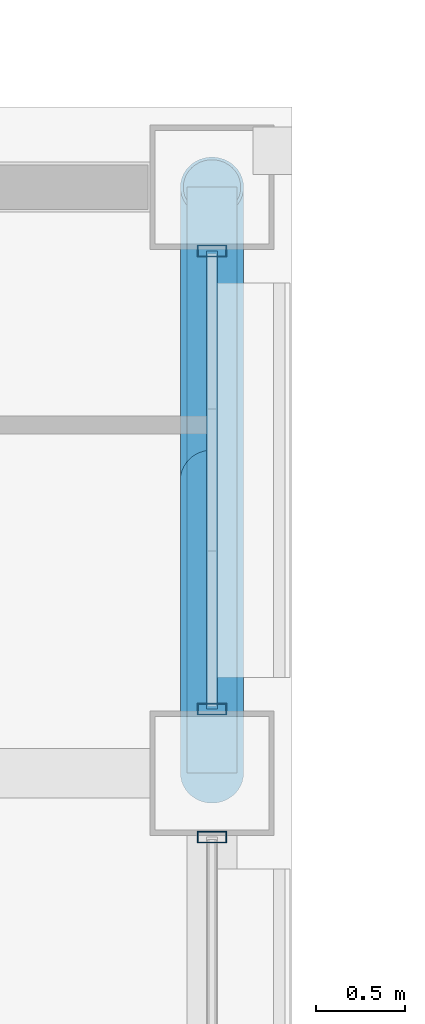
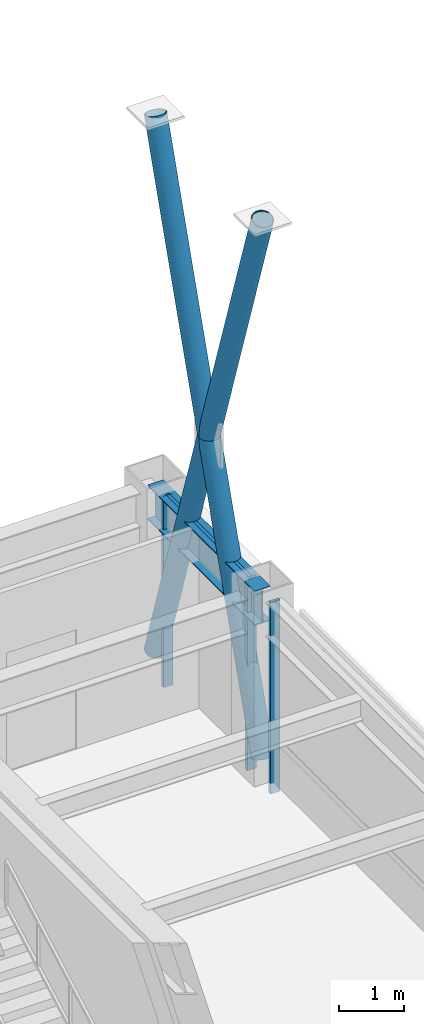
# One storey, part 20 of 33: 7 members, 1 beam, 2 elements without a shape of their own.
"""IFC4 building model written with IfcOpenShell, lengths in metres."""

from ifc_helpers import new_model, si_unit, direction, frame, origin, origin_2d, place, context, subcontext, project, spatial, hollow_rectangle, hollow_circle, i_section, extrude, material, layer, layer_set, material_profile, profile_set, type_object, element, aggregate, save


model = new_model("IFC4")

# Units and contexts
model_context = context("Model", 3, precision=1e-05, world=origin(), true_north=direction((0.0, 1.0)))
body_context = subcontext(model_context, "Body", "Model", "MODEL_VIEW")
ifc_project = project(units=[si_unit("LENGTHUNIT", "METRE"), si_unit("AREAUNIT", "SQUARE_METRE"), si_unit("VOLUMEUNIT", "CUBIC_METRE"), si_unit("PLANEANGLEUNIT", "RADIAN"), si_unit("MASSUNIT", "GRAM", prefix="KILO")], contexts=[model_context])

# Site, building, storey
site_placement = place(None, origin())
site = spatial("IfcSite", under=ifc_project, at=site_placement, CompositionType="ELEMENT")
building_placement = place(site_placement, origin())
building = spatial("IfcBuilding", under=site, at=building_placement, Name="Brelmoor Portico Tower", CompositionType="ELEMENT")
storey_placement = place(building_placement, frame((0.0, 0.0, 183.89990234375)))
storey = spatial("IfcBuildingStorey", under=building, at=storey_placement, Name="L48", CompositionType="ELEMENT", Elevation=183.89990234375)

# Beam
ifc_material_1 = material(Name="Steel Q355B", Category="steel")
ifc_material_profile_1 = material_profile(ifc_material_1, i_section(OverallWidth=0.280029296875, OverallDepth=0.64990234375, WebThickness=0.012939453125, FlangeThickness=0.02197265625, at=origin_2d()), Name="HN 650x280x13x22")
ifc_profile_set_1 = profile_set([ifc_material_profile_1], Name="Steel Q355B")
beam_type = type_object("IfcBeamType", Name="BM-SP-650", PredefinedType="SPANDREL", material=ifc_profile_set_1)
beam_placement = place(storey_placement, frame((20.550048828125, 9.75, 3.0751953125), z_axis=(0.0, 1.0, 0.0), x_axis=(-1.0, 0.0, 0.0)))
element("IfcBeam", 1, at=beam_placement, inside=storey, type_object=beam_type, Name="L48 Perimeter Spandrel Beam SP-20", PredefinedType="SPANDREL", context=body_context, shape_type="SweptSolid", body=[
    extrude(i_section(OverallWidth=0.280029296875, OverallDepth=0.64990234375, WebThickness=0.012939453125, FlangeThickness=0.02197265625, at=origin_2d()), origin(), (0.0, 0.0, 1.0), 3.300048828125),
])

# Members
ifc_material_profile_2 = material_profile(ifc_material_1, hollow_circle(Radius=0.177978515625, WallThickness=0.01611328125, at=origin_2d()), Name="CHS 356x16")
ifc_profile_set_2 = profile_set([ifc_material_profile_2], Name="Steel Q355B")
member_type_1 = type_object("IfcMemberType", Name="MB-BELT-DIAG2", PredefinedType="BRACE", material=ifc_profile_set_2)
member_1_placement = place(storey_placement, frame((20.550048828125, 9.75, 0.25), z_axis=(0.0, 0.310576778545, 0.950548296842), x_axis=(-1.0, 0.0, 0.0)))
element("IfcMember", 2, at=member_1_placement, inside=storey, type_object=member_type_1, Name="L48 Continuous Mega-X Brace 115A", PredefinedType="BRACE", context=body_context, shape_type="SweptSolid", body=[
    extrude(hollow_circle(Radius=0.177978515625, WallThickness=0.01611328125, at=origin_2d()), origin(), (0.0, 0.0, 1.0), 10.62548828125),
])
for number, where, z_axis, x_axis, name in (
    (3, (20.550048828125, 13.050048828125, 0.25), (0.0, -0.310597538786, 0.950541513507), (1.0, 0.0, 0.0), "L48 Split Mega-X Brace 115B1"),
    (4, (20.550048828125, 11.39990234375, 5.300048828125), (0.0, -0.310556017859, 0.95055507982), (1.0, 0.0, 0.0), "L48 Split Mega-X Brace 115B2"),
):
    element("IfcMember", number, at=place(storey_placement, frame(where, z_axis=z_axis, x_axis=x_axis)), inside=storey, type_object=member_type_1, Name=name, PredefinedType="BRACE", context=body_context, shape_type="SweptSolid", body=[
        extrude(hollow_circle(Radius=0.177978515625, WallThickness=0.01611328125, at=origin_2d()), origin(), (0.0, 0.0, 1.0), 5.312744140625),
    ])

# Curtain wall, member
ifc_material_2 = material(Name="Anodised Aluminium Alloy 6063-T6", Category="aluminium")
ifc_layer_1 = layer(ifc_material_2, 0.179931640625)
ifc_layer_set_1 = layer_set([ifc_layer_1], Name="Anodised Aluminium Alloy 6063-T6")
curtain_wall_type_1 = type_object("IfcCurtainWallType", Name="CW-TOWER-Z3", PredefinedType="NOTDEFINED", material=ifc_layer_set_1)
curtain_wall_1_placement = place(storey_placement, origin())
curtain_wall_1 = element("IfcCurtainWall", 5, at=curtain_wall_1_placement, inside=storey, type_object=curtain_wall_type_1, Name="L48 Curtain Wall CW-L48-4R-1", PredefinedType="NOTDEFINED")
ifc_material_profile_3 = material_profile(ifc_material_2, hollow_rectangle(XDim=0.06494140625, YDim=0.1650390625, WallThickness=0.00390625, at=origin_2d()), Name="ALU MULLION 65x165")
ifc_profile_set_3 = profile_set([ifc_material_profile_3], Name="Anodised Aluminium Alloy 6063-T6")
member_type_2 = type_object("IfcMemberType", Name="MB-CW-MULL-165", PredefinedType="MULLION", material=ifc_profile_set_3)
member_2_placement = place(storey_placement, frame((20.550048828125, 9.389892578125, -0.199951171875), z_axis=(0.0, 0.0, 1.0), x_axis=(0.0, 1.0, 0.0)))
member_2 = element("IfcMember", 6, at=member_2_placement, type_object=member_type_2, Name="CW-L48-4R-1 Mullion 01", PredefinedType="MULLION", context=body_context, shape_type="SweptSolid", body=[
    extrude(hollow_rectangle(XDim=0.06494140625, YDim=0.1650390625, WallThickness=0.00390625, at=origin_2d()), origin(), (0.0, 0.0, 1.0), 3.60009765625),
])
aggregate(curtain_wall_1, [member_2])

# Curtain wall, members
ifc_layer_2 = layer(ifc_material_2, 0.179931640625)
ifc_layer_set_2 = layer_set([ifc_layer_2], Name="Anodised Aluminium Alloy 6063-T6")
curtain_wall_type_2 = type_object("IfcCurtainWallType", Name="CW-TOWER-Z3-XB", PredefinedType="NOTDEFINED", material=ifc_layer_set_2)
curtain_wall_2_placement = place(storey_placement, origin())
curtain_wall_2 = element("IfcCurtainWall", 7, at=curtain_wall_2_placement, inside=storey, type_object=curtain_wall_type_2, Name="L48 Curtain Wall CW-L48-4R-2", PredefinedType="NOTDEFINED")
member_3_placement = place(storey_placement, frame((20.550048828125, 10.110107421875, -0.199951171875), z_axis=(0.0, 0.0, 1.0), x_axis=(0.0, 1.0, 0.0)))
member_3 = element("IfcMember", 8, at=member_3_placement, type_object=member_type_2, Name="CW-L48-4R-2 Mullion 00", PredefinedType="MULLION", context=body_context, shape_type="SweptSolid", body=[
    extrude(hollow_rectangle(XDim=0.06494140625, YDim=0.1650390625, WallThickness=0.00390625, at=origin_2d()), origin(), (0.0, 0.0, 1.0), 3.60009765625),
])
member_4_placement = place(storey_placement, frame((20.550048828125, 12.68994140625, -0.199951171875), z_axis=(0.0, 0.0, 1.0), x_axis=(0.0, 1.0, 0.0)))
member_4 = element("IfcMember", 9, at=member_4_placement, type_object=member_type_2, Name="CW-L48-4R-2 Mullion 01", PredefinedType="MULLION", context=body_context, shape_type="SweptSolid", body=[
    extrude(hollow_rectangle(XDim=0.06494140625, YDim=0.1650390625, WallThickness=0.00390625, at=origin_2d()), origin(), (0.0, 0.0, 1.0), 3.60009765625),
])
ifc_material_profile_4 = material_profile(ifc_material_2, hollow_rectangle(XDim=0.06005859375, YDim=0.125, WallThickness=0.00341796875, at=origin_2d()), Name="ALU TRANSOM 60x125")
ifc_profile_set_4 = profile_set([ifc_material_profile_4], Name="Anodised Aluminium Alloy 6063-T6")
member_type_3 = type_object("IfcMemberType", Name="MB-CW-TRAN-125", PredefinedType="USERDEFINED", material=ifc_profile_set_4)
member_5_placement = place(storey_placement, frame((20.550048828125, 10.110107421875, 3.337646484375), z_axis=(0.0, 1.0, 0.0), x_axis=(-1.0, 0.0, 0.0)))
member_5 = element("IfcMember", 10, at=member_5_placement, type_object=member_type_3, Name="CW-L48-4R-2 Transom 1-00", ObjectType="TRANSOM", PredefinedType="USERDEFINED", context=body_context, shape_type="SweptSolid", body=[
    extrude(hollow_rectangle(XDim=0.06005859375, YDim=0.125, WallThickness=0.00341796875, at=origin_2d()), origin(), (0.0, 0.0, 1.0), 2.579833984375),
])
aggregate(curtain_wall_2, [member_3, member_4, member_5])

save(model, "model.ifc")
